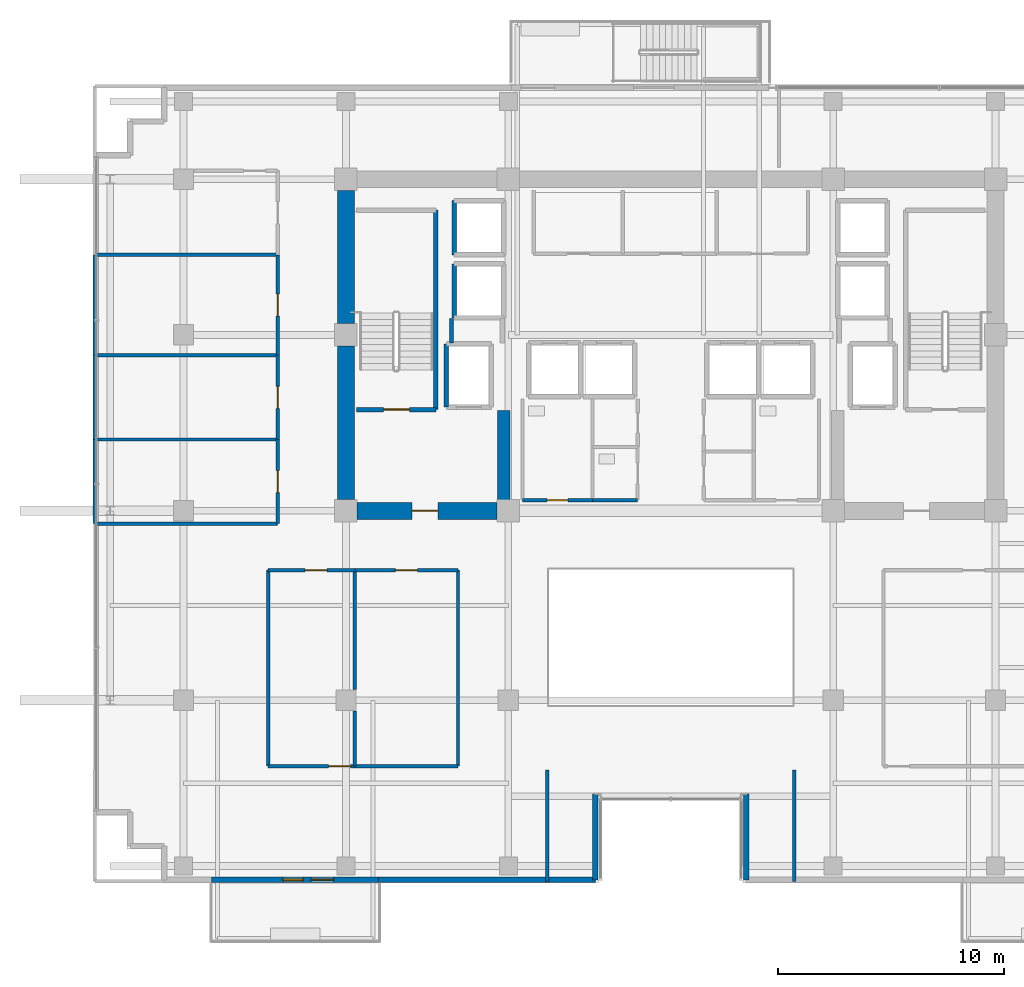
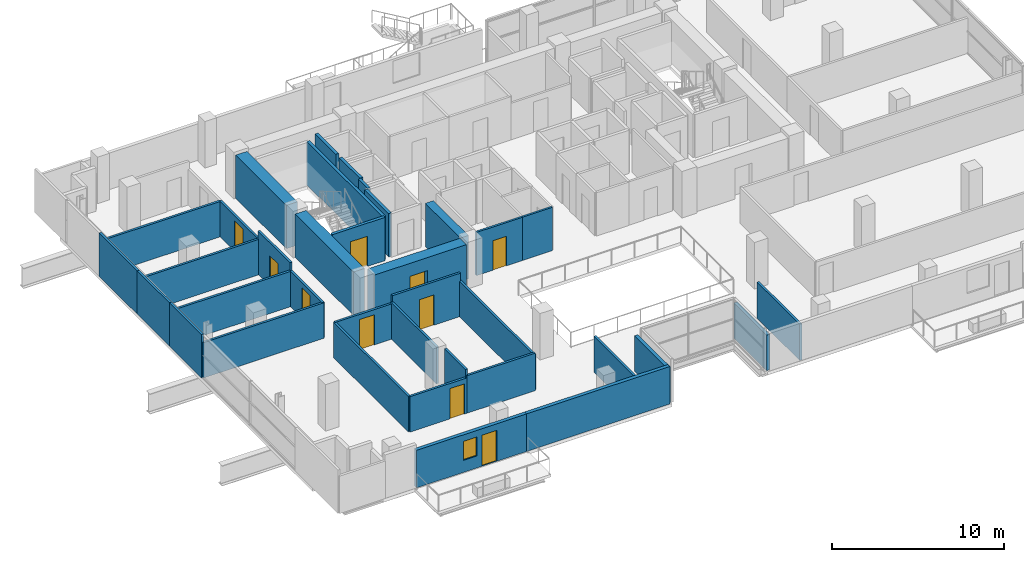
# One storey, part 18 of 27: 36 walls, 10 doors, 1 window, 11 openings.
"""IFC4 building model written with IfcOpenShell, lengths in metres."""

from ifc_helpers import new_model, si_unit, direction, frame, frame_2d, origin, place, context, subcontext, project, spatial, rectangle, extrude, source, transform, mapped, material, layer, layer_set, type_object, element, fill, save


model = new_model("IFC4")

# Units and contexts
model_context = context("Model", 3, precision=1e-05, world=origin(), true_north=direction((0.0, 1.0)))
body_context = subcontext(model_context, "Body", "Model", "MODEL_VIEW")
ifc_project = project(units=[si_unit("LENGTHUNIT", "METRE"), si_unit("AREAUNIT", "SQUARE_METRE"), si_unit("VOLUMEUNIT", "CUBIC_METRE"), si_unit("PLANEANGLEUNIT", "RADIAN"), si_unit("MASSUNIT", "GRAM", prefix="KILO")], contexts=[model_context])

# Site, building, storey
site_placement = place(None, origin())
site = spatial("IfcSite", under=ifc_project, at=site_placement, CompositionType="ELEMENT")
building_placement = place(site_placement, origin())
building = spatial("IfcBuilding", under=site, at=building_placement, Name="Zarnakvel Exchange Tower", CompositionType="ELEMENT")
storey_placement = place(building_placement, frame((0.0, 0.0, 113.199951171875)))
storey = spatial("IfcBuildingStorey", under=building, at=storey_placement, Name="L31", CompositionType="ELEMENT", Elevation=113.199951171875)

# Walls
ifc_material_1 = material(Name="Concrete C60/75", Category="concrete")
ifc_layer_1 = layer(ifc_material_1, 0.75)
ifc_layer_set_1 = layer_set([ifc_layer_1], Name="Concrete C60/75")
wall_type_1 = type_object("IfcWallType", Name="CW-C3", PredefinedType="SHEAR", material=ifc_layer_set_1)
wall_1_placement = place(storey_placement, frame((-14.39990234375, -0.699951171875, 0.0), z_axis=(0.0, 0.0, 1.0), x_axis=(0.0, 1.0, 0.0)))
element("IfcWall", 1, at=wall_1_placement, inside=storey, type_object=wall_type_1, Name="L31 Rear Core Shear Wall W1 (CW-C3)", PredefinedType="SHEAR", context=body_context, shape_type="SweptSolid", body=[
    extrude(rectangle(XDim=6.800048828125, YDim=0.75, at=frame_2d((3.39990234375, 0.0))), origin(), (0.0, 0.0, 1.0), 3.074951171875),
])
wall_2_placement = place(storey_placement, frame((-14.39990234375, 7.10009765625, 0.0), z_axis=(0.0, 0.0, 1.0), x_axis=(0.0, 1.0, 0.0)))
element("IfcWall", 2, at=wall_2_placement, inside=storey, type_object=wall_type_1, Name="L31 Rear Core Shear Wall W2 (CW-C3)", PredefinedType="SHEAR", context=body_context, shape_type="SweptSolid", body=[
    extrude(rectangle(XDim=5.89990234375, YDim=0.75, at=frame_2d((2.949951171875, 0.0))), origin(), (0.0, 0.0, 1.0), 3.074951171875),
])

# Wall, opening, door
wall_3_placement = place(storey_placement, frame((-7.699951171875, -1.199951171875, 0.0), z_axis=(0.0, 0.0, 1.0), x_axis=(-1.0, 0.0, 0.0)))
wall_3 = element("IfcWall", 3, at=wall_3_placement, inside=storey, type_object=wall_type_1, Name="L31 Rear Core Shear Wall SW (CW-C3)", PredefinedType="SHEAR", context=body_context, shape_type="SweptSolid", body=[
    extrude(rectangle(XDim=6.199951171875, YDim=0.75, at=frame_2d((3.10009765625, 0.0))), origin(), (0.0, 0.0, 1.0), 3.074951171875),
])
opening_1_placement = place(wall_3_placement, frame((2.625, 0.0, 0.0)))
opening_1 = element("IfcOpeningElement", 4, at=opening_1_placement, cuts=wall_3, Name="Opening D-L31-03", PredefinedType="OPENING", context=body_context, shape_type="SweptSolid", body=[
    extrude(rectangle(XDim=1.14990234375, YDim=2.14990234375, at=frame_2d((0.574951171875, 1.074951171875))), frame((0.0, 0.385009765625, 0.0), z_axis=(0.0, -1.0, 0.0), x_axis=(1.0, 0.0, 0.0)), (0.0, 0.0, 1.0), 0.77001953125),
])
ifc_material_2 = material(Name="Painted Galvanised Steel S355", Category="steel")
door_type_1 = type_object("IfcDoorType", Name="DT-04", OperationType="NOTDEFINED", PredefinedType="DOOR", material=ifc_material_2)
shared_shape_1 = source(origin(), body_context, "Body", "SweptSolid", [
    extrude(rectangle(XDim=1.14990234375, YDim=2.14990234375, at=frame_2d((0.574951171875, 1.074951171875))), frame((0.0, 0.02490234375, 0.0), z_axis=(0.0, -1.0, 0.0), x_axis=(1.0, 0.0, 0.0)), (0.0, 0.0, 1.0), 0.050048828125),
])
door_1_placement = place(opening_1_placement, origin())
door_1 = element("IfcDoor", 5, at=door_1_placement, inside=storey, type_object=door_type_1, Name="L31 Firefighting Lobby West Door D-L31-03", OperationType="SINGLE_SWING_LEFT", OverallHeight=2.14990234375, OverallWidth=1.14990234375, PredefinedType="DOOR", context=body_context, shape_type="MappedRepresentation", body=[
    mapped(shared_shape_1, transform((0.0, 0.0, 0.0), x_axis=(1.0, 0.0, 0.0), y_axis=(0.0, 1.0, 0.0), z_axis=(0.0, 0.0, 1.0), scale=1.0)),
])
fill(opening_1, door_1)

# Wall
ifc_layer_2 = layer(ifc_material_1, 0.550048828125)
ifc_layer_set_2 = layer_set([ifc_layer_2], Name="Concrete C60/75")
wall_type_2 = type_object("IfcWallType", Name="CW-C4", PredefinedType="SHEAR", material=ifc_layer_set_2)
wall_4_placement = place(storey_placement, frame((-7.39990234375, -0.824951171875, 0.0), z_axis=(0.0, 0.0, 1.0), x_axis=(0.0, 1.0, 0.0)))
element("IfcWall", 6, at=wall_4_placement, inside=storey, type_object=wall_type_2, Name="L31 Rear Core Shear Wall IW (CW-C4)", PredefinedType="SHEAR", context=body_context, shape_type="SweptSolid", body=[
    extrude(rectangle(XDim=4.074951171875, YDim=0.550048828125, at=frame_2d((2.03759765625, 0.0))), origin(), (0.0, 0.0, 1.0), 3.074951171875),
])

# Wall, openings, door, window
ifc_material_3 = material(Name="Precast concrete C40/50", Category="concrete")
ifc_layer_3 = layer(ifc_material_3, 0.239990234375)
ifc_layer_set_3 = layer_set([ifc_layer_3], Name="Precast concrete C40/50")
wall_type_3 = type_object("IfcWallType", Name="EW-02", PredefinedType="SOLIDWALL", material=ifc_layer_set_3)
wall_5_placement = place(storey_placement, frame((-12.949951171875, -17.56005859375, 0.0), z_axis=(0.0, 0.0, 1.0), x_axis=(-1.0, 0.0, 0.0)))
wall_5 = element("IfcWall", 7, at=wall_5_placement, inside=storey, type_object=wall_type_3, Name="L31 Exterior Precast Spandrel Wall EW-BAL-L31-SW (EW-02)", PredefinedType="SOLIDWALL", context=body_context, shape_type="SweptSolid", body=[
    extrude(rectangle(XDim=7.400146484375, YDim=0.239990234375, at=frame_2d((3.7001953125, 0.0))), origin(), (0.0, 0.0, 1.0), 2.6650390625),
])
opening_2_placement = place(wall_5_placement, frame((1.998046875, 0.0, 0.0)))
opening_2 = element("IfcOpeningElement", 8, at=opening_2_placement, cuts=wall_5, Name="Opening BD-L31-01", PredefinedType="OPENING", context=body_context, shape_type="SweptSolid", body=[
    extrude(rectangle(XDim=1.0, YDim=2.199951171875, at=frame_2d((0.5, 1.10009765625))), frame((0.0, 0.1298828125, 0.0), z_axis=(0.0, -1.0, 0.0), x_axis=(1.0, 0.0, 0.0)), (0.0, 0.0, 1.0), 0.260009765625),
])
opening_3_placement = place(wall_5_placement, frame((3.347900390625, 0.0, 0.85009765625)))
opening_3 = element("IfcOpeningElement", 9, at=opening_3_placement, cuts=wall_5, Name="Opening WN-06", PredefinedType="OPENING", context=body_context, shape_type="SweptSolid", body=[
    extrude(rectangle(XDim=0.89990234375, YDim=1.35009765625, at=frame_2d((0.449951171875, 0.675048828125))), frame((0.0, 0.1298828125, 0.0), z_axis=(0.0, -1.0, 0.0), x_axis=(1.0, 0.0, 0.0)), (0.0, 0.0, 1.0), 0.260009765625),
])
ifc_material_4 = material(Name="Architectural Bronze Anodised Aluminium", Category="aluminium")
door_type_2 = type_object("IfcDoorType", Name="DT-09", OperationType="NOTDEFINED", PredefinedType="DOOR", material=ifc_material_4)
shared_shape_2 = source(origin(), body_context, "Body", "SweptSolid", [
    extrude(rectangle(XDim=1.0, YDim=2.199951171875, at=frame_2d((0.5, 1.10009765625))), frame((0.0, 0.02490234375, 0.0), z_axis=(0.0, -1.0, 0.0), x_axis=(1.0, 0.0, 0.0)), (0.0, 0.0, 1.0), 0.050048828125),
])
door_2_placement = place(opening_2_placement, origin())
door_2 = element("IfcDoor", 10, at=door_2_placement, inside=storey, type_object=door_type_2, Name="L31 Planted Loggia Balcony Door BD-L31-01", OperationType="SINGLE_SWING_LEFT", OverallHeight=2.199951171875, OverallWidth=1.0, PredefinedType="DOOR", context=body_context, shape_type="MappedRepresentation", body=[
    mapped(shared_shape_2, transform((0.0, 0.0, 0.0), x_axis=(1.0, 0.0, 0.0), y_axis=(0.0, 1.0, 0.0), z_axis=(0.0, 0.0, 1.0), scale=1.0)),
])
fill(opening_2, door_2)
ifc_material_5 = material(Name="Double Low-E Laminated Vision Glass", Category="glass")
window_type = type_object("IfcWindowType", Name="WN-06", PartitioningType="SINGLE_PANEL", PredefinedType="WINDOW", material=ifc_material_5)
shared_shape_3 = source(origin(), body_context, "Body", "SweptSolid", [
    extrude(rectangle(XDim=0.89990234375, YDim=1.35009765625, at=frame_2d((0.449951171875, 0.675048828125))), frame((0.0, 0.030029296875, 0.0), z_axis=(0.0, -1.0, 0.0), x_axis=(1.0, 0.0, 0.0)), (0.0, 0.0, 1.0), 0.06005859375),
])
window_placement = place(opening_3_placement, origin())
window = element("IfcWindow", 11, at=window_placement, inside=storey, type_object=window_type, Name="L31 Loggia Daylight Window (WN-06)", OverallHeight=1.35009765625, OverallWidth=0.89990234375, PartitioningType="SINGLE_PANEL", PredefinedType="WINDOW", context=body_context, shape_type="MappedRepresentation", body=[
    mapped(shared_shape_3, transform((0.0, 0.0, 0.0), x_axis=(1.0, 0.0, 0.0), y_axis=(0.0, 1.0, 0.0), z_axis=(0.0, 0.0, 1.0), scale=1.0)),
])
fill(opening_3, window)

# Walls
for number, where, z_axis, x_axis, name in (
    (12, (3.340087890625, -13.760009765625, 0.0), (0.0, 0.0, 1.0), (0.0, -1.0, 0.0), "L31 Exterior Precast Spandrel Wall EWC-L31-19 (EW-02)"),
    (13, (-3.340087890625, -17.56005859375, 0.0), (0.0, 0.0, 1.0), (0.0, 1.0, 0.0), "L31 Exterior Precast Spandrel Wall EWC-L31-22 (EW-02)"),
):
    element("IfcWall", number, at=place(storey_placement, frame(where, z_axis=z_axis, x_axis=x_axis)), inside=storey, type_object=wall_type_3, Name=name, PredefinedType="SOLIDWALL", context=body_context, shape_type="SweptSolid", body=[
        extrude(rectangle(XDim=3.800048828125, YDim=0.239990234375, at=frame_2d((1.89990234375, 0.0))), origin(), (0.0, 0.0, 1.0), 2.51513671875),
    ])
wall_6_placement = place(storey_placement, frame((-12.949951171875, -17.56005859375, 0.0), z_axis=(0.0, 0.0, 1.0), x_axis=(1.0, 0.0, 0.0)))
element("IfcWall", 14, at=wall_6_placement, inside=storey, type_object=wall_type_3, Name="L31 Exterior Precast Spandrel Wall EWC-L31-23 (EW-02)", PredefinedType="SOLIDWALL", context=body_context, shape_type="SweptSolid", body=[
    extrude(rectangle(XDim=9.60986328125, YDim=0.239990234375, at=frame_2d((4.804931640625, 0.0))), origin(), (0.0, 0.0, 1.0), 2.6650390625),
])

# Wall, opening, door
ifc_material_6 = material(Name="Fire-Rated Gypsum Stud Partition", Category="gypsum")
ifc_layer_4 = layer(ifc_material_6, 0.14990234375)
ifc_layer_set_4 = layer_set([ifc_layer_4], Name="Fire-Rated Gypsum Stud Partition")
wall_type_4 = type_object("IfcWallType", Name="PT-01", PredefinedType="PARTITIONING", material=ifc_layer_set_4)
wall_7_placement = place(storey_placement, frame((-14.007080078125, -12.52001953125, 0.0), z_axis=(0.0, 0.0, 1.0), x_axis=(-1.0, 0.0, 0.0)))
wall_7 = element("IfcWall", 15, at=wall_7_placement, inside=storey, type_object=wall_type_4, Name="L31 Partition Wall PWALL-L31-033 (PT-01)", PredefinedType="PARTITIONING", context=body_context, shape_type="SweptSolid", body=[
    extrude(rectangle(XDim=3.8408203125, YDim=0.14990234375, at=frame_2d((1.92041015625, 0.0))), origin(), (0.0, 0.0, 1.0), 2.51513671875),
])
opening_4_placement = place(wall_7_placement, frame((0.179931640625, 0.0, 0.0)))
opening_4 = element("IfcOpeningElement", 16, at=opening_4_placement, cuts=wall_7, Name="Opening D-L31-16", PredefinedType="OPENING", context=body_context, shape_type="SweptSolid", body=[
    extrude(rectangle(XDim=0.97998046875, YDim=2.14990234375, at=frame_2d((0.489990234375, 1.074951171875))), frame((0.0, 0.0849609375, 0.0), z_axis=(0.0, -1.0, 0.0), x_axis=(1.0, 0.0, 0.0)), (0.0, 0.0, 1.0), 0.169921875),
])
ifc_material_7 = material(Name="Timber Acoustic Veneer", Category="wood")
door_type_3 = type_object("IfcDoorType", Name="DT-05", OperationType="NOTDEFINED", PredefinedType="DOOR", material=ifc_material_7)
shared_shape_4 = source(origin(), body_context, "Body", "SweptSolid", [
    extrude(rectangle(XDim=0.97998046875, YDim=2.14990234375, at=frame_2d((0.489990234375, 1.074951171875))), frame((0.0, 0.02490234375, 0.0), z_axis=(0.0, -1.0, 0.0), x_axis=(1.0, 0.0, 0.0)), (0.0, 0.0, 1.0), 0.050048828125),
])
door_3_placement = place(opening_4_placement, origin())
door_3 = element("IfcDoor", 17, at=door_3_placement, inside=storey, type_object=door_type_3, Name="L31 Commodities Dealing Room Door D-L31-16", OperationType="SINGLE_SWING_RIGHT", OverallHeight=2.14990234375, OverallWidth=0.97998046875, PredefinedType="DOOR", context=body_context, shape_type="MappedRepresentation", body=[
    mapped(shared_shape_4, transform((0.0, 0.0, 0.0), x_axis=(1.0, 0.0, 0.0), y_axis=(0.0, 1.0, 0.0), z_axis=(0.0, 0.0, 1.0), scale=1.0)),
])
fill(opening_4, door_3)

wall_8_placement = place(storey_placement, frame((-17.847900390625, -3.830078125, 0.0), z_axis=(0.0, 0.0, 1.0), x_axis=(1.0, 0.0, 0.0)))
wall_8 = element("IfcWall", 18, at=wall_8_placement, inside=storey, type_object=wall_type_4, Name="L31 Partition Wall PWALL-L31-034 (PT-01)", PredefinedType="PARTITIONING", context=body_context, shape_type="SweptSolid", body=[
    extrude(rectangle(XDim=3.8408203125, YDim=0.14990234375, at=frame_2d((1.92041015625, 0.0))), origin(), (0.0, 0.0, 1.0), 2.51513671875),
])
opening_5_placement = place(wall_8_placement, frame((1.638916015625, 0.0, 0.0)))
opening_5 = element("IfcOpeningElement", 19, at=opening_5_placement, cuts=wall_8, Name="Opening D-L31-14", PredefinedType="OPENING", context=body_context, shape_type="SweptSolid", body=[
    extrude(rectangle(XDim=0.97998046875, YDim=2.14990234375, at=frame_2d((0.489990234375, 1.074951171875))), frame((0.0, 0.0849609375, 0.0), z_axis=(0.0, -1.0, 0.0), x_axis=(1.0, 0.0, 0.0)), (0.0, 0.0, 1.0), 0.169921875),
])
door_4_placement = place(opening_5_placement, origin())
door_4 = element("IfcDoor", 20, at=door_4_placement, inside=storey, type_object=door_type_3, Name="L31 Seminar Room Door D-L31-14", OperationType="SINGLE_SWING_RIGHT", OverallHeight=2.14990234375, OverallWidth=0.97998046875, PredefinedType="DOOR", context=body_context, shape_type="MappedRepresentation", body=[
    mapped(shared_shape_4, transform((0.0, 0.0, 0.0), x_axis=(1.0, 0.0, 0.0), y_axis=(0.0, 1.0, 0.0), z_axis=(0.0, 0.0, 1.0), scale=1.0)),
])
fill(opening_5, door_4)

# Walls
wall_9_placement = place(storey_placement, frame((-17.847900390625, -12.52001953125, 0.0), z_axis=(0.0, 0.0, 1.0), x_axis=(0.0, 1.0, 0.0)))
element("IfcWall", 21, at=wall_9_placement, inside=storey, type_object=wall_type_4, Name="L31 Partition Wall PWALL-L31-035 (PT-01)", PredefinedType="PARTITIONING", context=body_context, shape_type="SweptSolid", body=[
    extrude(rectangle(XDim=8.68994140625, YDim=0.14990234375, at=frame_2d((4.344970703125, 0.0))), origin(), (0.0, 0.0, 1.0), 2.51513671875),
])
wall_10_placement = place(storey_placement, frame((-14.007080078125, -3.830078125, 0.0), z_axis=(0.0, 0.0, 1.0), x_axis=(0.0, -1.0, 0.0)))
element("IfcWall", 22, at=wall_10_placement, inside=storey, type_object=wall_type_4, Name="L31 Partition Wall PWALL-L31-036 (PT-01)", PredefinedType="PARTITIONING", context=body_context, shape_type="SweptSolid", body=[
    extrude(rectangle(XDim=5.2998046875, YDim=0.14990234375, at=frame_2d((2.64990234375, 0.0))), origin(), (0.0, 0.0, 1.0), 2.614990234375),
])
wall_11_placement = place(storey_placement, frame((-9.429931640625, -12.52001953125, 0.0), z_axis=(0.0, 0.0, 1.0), x_axis=(-1.0, 0.0, 0.0)))
element("IfcWall", 23, at=wall_11_placement, inside=storey, type_object=wall_type_4, Name="L31 Partition Wall PWALL-L31-037 (PT-01)", PredefinedType="PARTITIONING", context=body_context, shape_type="SweptSolid", body=[
    extrude(rectangle(XDim=4.5771484375, YDim=0.14990234375, at=frame_2d((2.28857421875, 0.0))), origin(), (0.0, 0.0, 1.0), 2.6650390625),
])

# Wall, opening, door
wall_12_placement = place(storey_placement, frame((-14.007080078125, -3.830078125, 0.0), z_axis=(0.0, 0.0, 1.0), x_axis=(1.0, 0.0, 0.0)))
wall_12 = element("IfcWall", 24, at=wall_12_placement, inside=storey, type_object=wall_type_4, Name="L31 Partition Wall PWALL-L31-038 (PT-01)", PredefinedType="PARTITIONING", context=body_context, shape_type="SweptSolid", body=[
    extrude(rectangle(XDim=4.5771484375, YDim=0.14990234375, at=frame_2d((2.28857421875, 0.0))), origin(), (0.0, 0.0, 1.0), 3.074951171875),
])
opening_6_placement = place(wall_12_placement, frame((1.799072265625, 0.0, 0.0)))
opening_6 = element("IfcOpeningElement", 25, at=opening_6_placement, cuts=wall_12, Name="Opening D-L31-15", PredefinedType="OPENING", context=body_context, shape_type="SweptSolid", body=[
    extrude(rectangle(XDim=0.97998046875, YDim=2.14990234375, at=frame_2d((0.489990234375, 1.074951171875))), frame((0.0, 0.0849609375, 0.0), z_axis=(0.0, -1.0, 0.0), x_axis=(1.0, 0.0, 0.0)), (0.0, 0.0, 1.0), 0.169921875),
])
door_5_placement = place(opening_6_placement, origin())
door_5 = element("IfcDoor", 26, at=door_5_placement, inside=storey, type_object=door_type_3, Name="L31 Boardroom Door D-L31-15", OperationType="SINGLE_SWING_LEFT", OverallHeight=2.14990234375, OverallWidth=0.97998046875, PredefinedType="DOOR", context=body_context, shape_type="MappedRepresentation", body=[
    mapped(shared_shape_4, transform((0.0, 0.0, 0.0), x_axis=(1.0, 0.0, 0.0), y_axis=(0.0, 1.0, 0.0), z_axis=(0.0, 0.0, 1.0), scale=1.0)),
])
fill(opening_6, door_5)

# Walls
wall_13_placement = place(storey_placement, frame((-14.007080078125, -12.52001953125, 0.0), z_axis=(0.0, 0.0, 1.0), x_axis=(0.0, 1.0, 0.0)))
element("IfcWall", 27, at=wall_13_placement, inside=storey, type_object=wall_type_4, Name="L31 Partition Wall PWALL-L31-039 (PT-01)", PredefinedType="PARTITIONING", context=body_context, shape_type="SweptSolid", body=[
    extrude(rectangle(XDim=2.449951171875, YDim=0.14990234375, at=frame_2d((1.22509765625, 0.0))), origin(), (0.0, 0.0, 1.0), 3.074951171875),
])
wall_14_placement = place(storey_placement, frame((-9.429931640625, -3.830078125, 0.0), z_axis=(0.0, 0.0, 1.0), x_axis=(0.0, -1.0, 0.0)))
element("IfcWall", 28, at=wall_14_placement, inside=storey, type_object=wall_type_4, Name="L31 Partition Wall PWALL-L31-040 (PT-01)", PredefinedType="PARTITIONING", context=body_context, shape_type="SweptSolid", body=[
    extrude(rectangle(XDim=8.68994140625, YDim=0.14990234375, at=frame_2d((4.344970703125, 0.0))), origin(), (0.0, 0.0, 1.0), 2.51513671875),
])
for number, where, z_axis, x_axis, name in (
    (29, (-5.47998046875, -12.679931640625, 0.0), (0.0, 0.0, 1.0), (0.0, -1.0, 0.0), "L31 Partition Wall PWALL-L31-043 (PT-01)"),
    (30, (5.47998046875, -17.6298828125, 0.0), (0.0, 0.0, 1.0), (0.0, 1.0, 0.0), "L31 Partition Wall PWALL-L31-049 (PT-01)"),
):
    element("IfcWall", number, at=place(storey_placement, frame(where, z_axis=z_axis, x_axis=x_axis)), inside=storey, type_object=wall_type_4, Name=name, PredefinedType="PARTITIONING", context=body_context, shape_type="SweptSolid", body=[
        extrude(rectangle(XDim=4.949951171875, YDim=0.14990234375, at=frame_2d((2.47509765625, 0.0))), origin(), (0.0, 0.0, 1.0), 2.56494140625),
    ])
for number, where, z_axis, x_axis, name in (
    (31, (-17.429931640625, -1.77001953125, 0.0), (0.0, 0.0, 1.0), (-1.0, 0.0, 0.0), "L31 Partition Wall PWALL-L31-051 (PT-01)"),
    (32, (-25.530029296875, 1.9638671875, 0.0), (0.0, 0.0, 1.0), (1.0, 0.0, 0.0), "L31 Partition Wall PWALL-L31-052 (PT-01)"),
):
    element("IfcWall", number, at=place(storey_placement, frame(where, z_axis=z_axis, x_axis=x_axis)), inside=storey, type_object=wall_type_4, Name=name, PredefinedType="PARTITIONING", context=body_context, shape_type="SweptSolid", body=[
        extrude(rectangle(XDim=8.10009765625, YDim=0.14990234375, at=frame_2d((4.050048828125, 0.0))), origin(), (0.0, 0.0, 1.0), 2.51513671875),
    ])
wall_15_placement = place(storey_placement, frame((-25.530029296875, -1.77001953125, 0.0), z_axis=(0.0, 0.0, 1.0), x_axis=(0.0, 1.0, 0.0)))
element("IfcWall", 33, at=wall_15_placement, inside=storey, type_object=wall_type_4, Name="L31 Partition Wall PWALL-L31-053 (PT-01)", PredefinedType="PARTITIONING", context=body_context, shape_type="SweptSolid", body=[
    extrude(rectangle(XDim=3.73388671875, YDim=0.14990234375, at=frame_2d((1.866943359375, 0.0))), origin(), (0.0, 0.0, 1.0), 3.074951171875),
])

# Wall, opening, door
wall_16_placement = place(storey_placement, frame((-17.429931640625, 1.9638671875, 0.0), z_axis=(0.0, 0.0, 1.0), x_axis=(0.0, -1.0, 0.0)))
wall_16 = element("IfcWall", 34, at=wall_16_placement, inside=storey, type_object=wall_type_4, Name="L31 Partition Wall PWALL-L31-054 (PT-01)", PredefinedType="PARTITIONING", context=body_context, shape_type="SweptSolid", body=[
    extrude(rectangle(XDim=3.73388671875, YDim=0.14990234375, at=frame_2d((1.866943359375, 0.0))), origin(), (0.0, 0.0, 1.0), 2.51513671875),
])
opening_7_placement = place(wall_16_placement, frame((1.376708984375, 0.0, 0.0)))
opening_7 = element("IfcOpeningElement", 35, at=opening_7_placement, cuts=wall_16, Name="Opening D-L31-19", PredefinedType="OPENING", context=body_context, shape_type="SweptSolid", body=[
    extrude(rectangle(XDim=0.97998046875, YDim=2.14990234375, at=frame_2d((0.489990234375, 1.074951171875))), frame((0.0, 0.0849609375, 0.0), z_axis=(0.0, -1.0, 0.0), x_axis=(1.0, 0.0, 0.0)), (0.0, 0.0, 1.0), 0.169921875),
])
door_6_placement = place(opening_7_placement, origin())
door_6 = element("IfcDoor", 36, at=door_6_placement, inside=storey, type_object=door_type_3, Name="L31 Boardroom Door D-L31-19", OperationType="SINGLE_SWING_LEFT", OverallHeight=2.14990234375, OverallWidth=0.97998046875, PredefinedType="DOOR", context=body_context, shape_type="MappedRepresentation", body=[
    mapped(shared_shape_4, transform((0.0, 0.0, 0.0), x_axis=(1.0, 0.0, 0.0), y_axis=(0.0, 1.0, 0.0), z_axis=(0.0, 0.0, 1.0), scale=1.0)),
])
fill(opening_7, door_6)

# Walls
wall_17_placement = place(storey_placement, frame((-25.530029296875, 5.697509765625, 0.0), z_axis=(0.0, 0.0, 1.0), x_axis=(1.0, 0.0, 0.0)))
element("IfcWall", 37, at=wall_17_placement, inside=storey, type_object=wall_type_4, Name="L31 Partition Wall PWALL-L31-055 (PT-01)", PredefinedType="PARTITIONING", context=body_context, shape_type="SweptSolid", body=[
    extrude(rectangle(XDim=8.10009765625, YDim=0.14990234375, at=frame_2d((4.050048828125, 0.0))), origin(), (0.0, 0.0, 1.0), 2.51513671875),
])
wall_18_placement = place(storey_placement, frame((-25.530029296875, 1.9638671875, 0.0), z_axis=(0.0, 0.0, 1.0), x_axis=(0.0, 1.0, 0.0)))
element("IfcWall", 38, at=wall_18_placement, inside=storey, type_object=wall_type_4, Name="L31 Partition Wall PWALL-L31-056 (PT-01)", PredefinedType="PARTITIONING", context=body_context, shape_type="SweptSolid", body=[
    extrude(rectangle(XDim=3.733642578125, YDim=0.14990234375, at=frame_2d((1.86669921875, 0.0))), origin(), (0.0, 0.0, 1.0), 3.074951171875),
])

# Wall, opening, door
wall_19_placement = place(storey_placement, frame((-17.429931640625, 5.697509765625, 0.0), z_axis=(0.0, 0.0, 1.0), x_axis=(0.0, -1.0, 0.0)))
wall_19 = element("IfcWall", 39, at=wall_19_placement, inside=storey, type_object=wall_type_4, Name="L31 Partition Wall PWALL-L31-057 (PT-01)", PredefinedType="PARTITIONING", context=body_context, shape_type="SweptSolid", body=[
    extrude(rectangle(XDim=3.733642578125, YDim=0.14990234375, at=frame_2d((1.86669921875, 0.0))), origin(), (0.0, 0.0, 1.0), 3.074951171875),
])
opening_8_placement = place(wall_19_placement, frame((1.376708984375, 0.0, 0.0)))
opening_8 = element("IfcOpeningElement", 40, at=opening_8_placement, cuts=wall_19, Name="Opening D-L31-20", PredefinedType="OPENING", context=body_context, shape_type="SweptSolid", body=[
    extrude(rectangle(XDim=0.97998046875, YDim=2.14990234375, at=frame_2d((0.489990234375, 1.074951171875))), frame((0.0, 0.0849609375, 0.0), z_axis=(0.0, -1.0, 0.0), x_axis=(1.0, 0.0, 0.0)), (0.0, 0.0, 1.0), 0.169921875),
])
door_7_placement = place(opening_8_placement, origin())
door_7 = element("IfcDoor", 41, at=door_7_placement, inside=storey, type_object=door_type_3, Name="L31 Tea Pantry Door D-L31-20", OperationType="SINGLE_SWING_RIGHT", OverallHeight=2.14990234375, OverallWidth=0.97998046875, PredefinedType="DOOR", context=body_context, shape_type="MappedRepresentation", body=[
    mapped(shared_shape_4, transform((0.0, 0.0, 0.0), x_axis=(1.0, 0.0, 0.0), y_axis=(0.0, 1.0, 0.0), z_axis=(0.0, 0.0, 1.0), scale=1.0)),
])
fill(opening_8, door_7)

# Walls
wall_20_placement = place(storey_placement, frame((-25.530029296875, 10.146240234375, 0.0), z_axis=(0.0, 0.0, 1.0), x_axis=(1.0, 0.0, 0.0)))
element("IfcWall", 42, at=wall_20_placement, inside=storey, type_object=wall_type_4, Name="L31 Partition Wall PWALL-L31-058 (PT-01)", PredefinedType="PARTITIONING", context=body_context, shape_type="SweptSolid", body=[
    extrude(rectangle(XDim=8.10009765625, YDim=0.14990234375, at=frame_2d((4.050048828125, 0.0))), origin(), (0.0, 0.0, 1.0), 2.51513671875),
])
wall_21_placement = place(storey_placement, frame((-25.530029296875, 5.697509765625, 0.0), z_axis=(0.0, 0.0, 1.0), x_axis=(0.0, 1.0, 0.0)))
element("IfcWall", 43, at=wall_21_placement, inside=storey, type_object=wall_type_4, Name="L31 Partition Wall PWALL-L31-059 (PT-01)", PredefinedType="PARTITIONING", context=body_context, shape_type="SweptSolid", body=[
    extrude(rectangle(XDim=4.44873046875, YDim=0.14990234375, at=frame_2d((2.224365234375, 0.0))), origin(), (0.0, 0.0, 1.0), 3.074951171875),
])

# Wall, opening, door
wall_22_placement = place(storey_placement, frame((-17.429931640625, 10.146240234375, 0.0), z_axis=(0.0, 0.0, 1.0), x_axis=(0.0, -1.0, 0.0)))
wall_22 = element("IfcWall", 44, at=wall_22_placement, inside=storey, type_object=wall_type_4, Name="L31 Partition Wall PWALL-L31-060 (PT-01)", PredefinedType="PARTITIONING", context=body_context, shape_type="SweptSolid", body=[
    extrude(rectangle(XDim=4.44873046875, YDim=0.14990234375, at=frame_2d((2.224365234375, 0.0))), origin(), (0.0, 0.0, 1.0), 2.51513671875),
])
opening_9_placement = place(wall_22_placement, frame((1.734130859375, 0.0, 0.0)))
opening_9 = element("IfcOpeningElement", 45, at=opening_9_placement, cuts=wall_22, Name="Opening D-L31-21", PredefinedType="OPENING", context=body_context, shape_type="SweptSolid", body=[
    extrude(rectangle(XDim=0.97998046875, YDim=2.14990234375, at=frame_2d((0.489990234375, 1.074951171875))), frame((0.0, 0.0849609375, 0.0), z_axis=(0.0, -1.0, 0.0), x_axis=(1.0, 0.0, 0.0)), (0.0, 0.0, 1.0), 0.169921875),
])
door_8_placement = place(opening_9_placement, origin())
door_8 = element("IfcDoor", 46, at=door_8_placement, inside=storey, type_object=door_type_3, Name="L31 Fintech Workspace Door D-L31-21", OperationType="SINGLE_SWING_LEFT", OverallHeight=2.14990234375, OverallWidth=0.97998046875, PredefinedType="DOOR", context=body_context, shape_type="MappedRepresentation", body=[
    mapped(shared_shape_4, transform((0.0, 0.0, 0.0), x_axis=(1.0, 0.0, 0.0), y_axis=(0.0, 1.0, 0.0), z_axis=(0.0, 0.0, 1.0), scale=1.0)),
])
fill(opening_9, door_8)

# Wall
ifc_layer_5 = layer(ifc_material_6, 0.179931640625)
ifc_layer_set_5 = layer_set([ifc_layer_5], Name="Fire-Rated Gypsum Stud Partition")
wall_type_5 = type_object("IfcWallType", Name="PT-02", PredefinedType="PARTITIONING", material=ifc_layer_set_5)
wall_23_placement = place(storey_placement, frame((-9.72998046875, 6.239990234375, 0.0), z_axis=(0.0, 0.0, 1.0), x_axis=(0.0, 1.0, 0.0)))
element("IfcWall", 47, at=wall_23_placement, inside=storey, type_object=wall_type_5, Name="L31 Partition Wall PWALL-L31-007 (PT-02)", PredefinedType="PARTITIONING", context=body_context, shape_type="SweptSolid", body=[
    extrude(rectangle(XDim=1.090087890625, YDim=0.179931640625, at=frame_2d((0.544921875, 0.0))), origin(), (0.0, 0.0, 1.0), 3.074951171875),
])

# Wall, opening, door
ifc_material_8 = material(Name="Moisture-Resistant Tile-Faced Partition", Category="gypsum")
ifc_layer_6 = layer(ifc_material_8, 0.135009765625)
ifc_layer_set_6 = layer_set([ifc_layer_6], Name="Moisture-Resistant Tile-Faced Partition")
wall_type_6 = type_object("IfcWallType", Name="PT-03", PredefinedType="PARTITIONING", material=ifc_layer_set_6)
wall_24_placement = place(storey_placement, frame((-3.469970703125, -0.72998046875, 0.0), z_axis=(0.0, 0.0, 1.0), x_axis=(-1.0, 0.0, 0.0)))
wall_24 = element("IfcWall", 48, at=wall_24_placement, inside=storey, type_object=wall_type_6, Name="L31 Partition Wall PWALL-L31-018 (PT-03)", PredefinedType="PARTITIONING", context=body_context, shape_type="SweptSolid", body=[
    extrude(rectangle(XDim=3.110107421875, YDim=0.135009765625, at=frame_2d((1.55517578125, 0.0))), origin(), (0.0, 0.0, 1.0), 3.074951171875),
])
opening_10_placement = place(wall_24_placement, frame((1.090087890625, 0.0, 0.0)))
opening_10 = element("IfcOpeningElement", 49, at=opening_10_placement, cuts=wall_24, Name="Opening D-L31-08", PredefinedType="OPENING", context=body_context, shape_type="SweptSolid", body=[
    extrude(rectangle(XDim=0.919921875, YDim=2.10009765625, at=frame_2d((0.4599609375, 1.050048828125))), frame((0.0, 0.077392578125, 0.0), z_axis=(0.0, -1.0, 0.0), x_axis=(1.0, 0.0, 0.0)), (0.0, 0.0, 1.0), 0.155029296875),
])
ifc_material_9 = material(Name="Moisture-Resistant Laminate Timber", Category="wood")
door_type_4 = type_object("IfcDoorType", Name="DT-07", OperationType="NOTDEFINED", PredefinedType="DOOR", material=ifc_material_9)
shared_shape_5 = source(origin(), body_context, "Body", "SweptSolid", [
    extrude(rectangle(XDim=0.919921875, YDim=2.10009765625, at=frame_2d((0.4599609375, 1.050048828125))), frame((0.0, 0.02490234375, 0.0), z_axis=(0.0, -1.0, 0.0), x_axis=(1.0, 0.0, 0.0)), (0.0, 0.0, 1.0), 0.050048828125),
])
door_9_placement = place(opening_10_placement, origin())
door_9 = element("IfcDoor", 50, at=door_9_placement, inside=storey, type_object=door_type_4, Name="L31 Male Toilet Door D-L31-08", OperationType="SINGLE_SWING_RIGHT", OverallHeight=2.10009765625, OverallWidth=0.919921875, PredefinedType="DOOR", context=body_context, shape_type="MappedRepresentation", body=[
    mapped(shared_shape_5, transform((0.0, 0.0, 0.0), x_axis=(1.0, 0.0, 0.0), y_axis=(0.0, 1.0, 0.0), z_axis=(0.0, 0.0, 1.0), scale=1.0)),
])
fill(opening_10, door_9)

# Walls
wall_25_placement = place(storey_placement, frame((-1.469970703125, -0.72998046875, 0.0), z_axis=(0.0, 0.0, 1.0), x_axis=(-1.0, 0.0, 0.0)))
element("IfcWall", 51, at=wall_25_placement, inside=storey, type_object=wall_type_6, Name="L31 Partition Wall PWALL-L31-021 (PT-03)", PredefinedType="PARTITIONING", context=body_context, shape_type="SweptSolid", body=[
    extrude(rectangle(XDim=2.0, YDim=0.135009765625, at=frame_2d((1.0, 0.0))), origin(), (0.0, 0.0, 1.0), 3.074951171875),
])
ifc_material_10 = material(Name="Concrete C40/50", Category="concrete")
ifc_layer_7 = layer(ifc_material_10, 0.199951171875)
ifc_layer_set_7 = layer_set([ifc_layer_7], Name="Concrete C40/50")
wall_type_7 = type_object("IfcWallType", Name="SW-01", PredefinedType="SOLIDWALL", material=ifc_layer_set_7)
wall_26_placement = place(storey_placement, frame((-9.949951171875, 3.39990234375, 0.0), z_axis=(0.0, 0.0, 1.0), x_axis=(0.0, 1.0, 0.0)))
element("IfcWall", 52, at=wall_26_placement, inside=storey, type_object=wall_type_7, Name="L31 FL-01 Hoistway Wall West", PredefinedType="SOLIDWALL", context=body_context, shape_type="SweptSolid", body=[
    extrude(rectangle(XDim=2.800048828125, YDim=0.199951171875, at=frame_2d((1.39990234375, 0.0))), origin(), (0.0, 0.0, 1.0), 3.074951171875),
])
wall_27_placement = place(storey_placement, frame((-9.60009765625, 7.35009765625, 0.0), z_axis=(0.0, 0.0, 1.0), x_axis=(0.0, 1.0, 0.0)))
element("IfcWall", 53, at=wall_27_placement, inside=storey, type_object=wall_type_7, Name="L31 PL-09 Hoistway Wall West", PredefinedType="SOLIDWALL", context=body_context, shape_type="SweptSolid", body=[
    extrude(rectangle(XDim=2.39990234375, YDim=0.199951171875, at=frame_2d((1.199951171875, 0.0))), origin(), (0.0, 0.0, 1.0), 3.074951171875),
])
wall_28_placement = place(storey_placement, frame((-9.60009765625, 10.14990234375, 0.0), z_axis=(0.0, 0.0, 1.0), x_axis=(0.0, 1.0, 0.0)))
element("IfcWall", 54, at=wall_28_placement, inside=storey, type_object=wall_type_7, Name="L31 PL-10 Hoistway Wall West", PredefinedType="SOLIDWALL", context=body_context, shape_type="SweptSolid", body=[
    extrude(rectangle(XDim=2.400146484375, YDim=0.199951171875, at=frame_2d((1.2001953125, 0.0))), origin(), (0.0, 0.0, 1.0), 3.074951171875),
])

# Wall, opening, door
ifc_layer_8 = layer(ifc_material_10, 0.199951171875)
ifc_layer_set_8 = layer_set([ifc_layer_8], Name="Concrete C40/50")
wall_type_8 = type_object("IfcWallType", Name="SW-02", PredefinedType="SOLIDWALL", material=ifc_layer_set_8)
wall_29_placement = place(storey_placement, frame((-10.409912109375, 3.2900390625, 0.0), z_axis=(0.0, 0.0, 1.0), x_axis=(-1.0, 0.0, 0.0)))
wall_29 = element("IfcWall", 55, at=wall_29_placement, inside=storey, type_object=wall_type_8, Name="L31 Stairwell Core Wall PWALL-L31-001 (SW-02)", PredefinedType="SOLIDWALL", context=body_context, shape_type="SweptSolid", body=[
    extrude(rectangle(XDim=3.52001953125, YDim=0.199951171875, at=frame_2d((1.760009765625, 0.0))), origin(), (0.0, 0.0, 1.0), 3.074951171875),
])
opening_11_placement = place(wall_29_placement, frame((1.1650390625, 0.0, 0.0)))
opening_11 = element("IfcOpeningElement", 56, at=opening_11_placement, cuts=wall_29, Name="Opening D-L31-01", PredefinedType="OPENING", context=body_context, shape_type="SweptSolid", body=[
    extrude(rectangle(XDim=1.14990234375, YDim=2.14990234375, at=frame_2d((0.574951171875, 1.074951171875))), frame((0.0, 0.10986328125, 0.0), z_axis=(0.0, -1.0, 0.0), x_axis=(1.0, 0.0, 0.0)), (0.0, 0.0, 1.0), 0.219970703125),
])
door_10_placement = place(opening_11_placement, origin())
door_10 = element("IfcDoor", 57, at=door_10_placement, inside=storey, type_object=door_type_1, Name="L31 Stairwell ST-01 Door D-L31-01", OperationType="SINGLE_SWING_LEFT", OverallHeight=2.14990234375, OverallWidth=1.14990234375, PredefinedType="DOOR", context=body_context, shape_type="MappedRepresentation", body=[
    mapped(shared_shape_1, transform((0.0, 0.0, 0.0), x_axis=(1.0, 0.0, 0.0), y_axis=(0.0, 1.0, 0.0), z_axis=(0.0, 0.0, 1.0), scale=1.0)),
])
fill(opening_11, door_10)

# Wall
wall_30_placement = place(storey_placement, frame((-10.409912109375, 12.1298828125, 0.0), z_axis=(0.0, 0.0, 1.0), x_axis=(0.0, -1.0, 0.0)))
element("IfcWall", 58, at=wall_30_placement, inside=storey, type_object=wall_type_8, Name="L31 Stairwell Core Wall PWALL-L31-003 (SW-02)", PredefinedType="SOLIDWALL", context=body_context, shape_type="SweptSolid", body=[
    extrude(rectangle(XDim=8.83984375, YDim=0.199951171875, at=frame_2d((4.419921875, 0.0))), origin(), (0.0, 0.0, 1.0), 3.074951171875),
])

save(model, "model.ifc")
